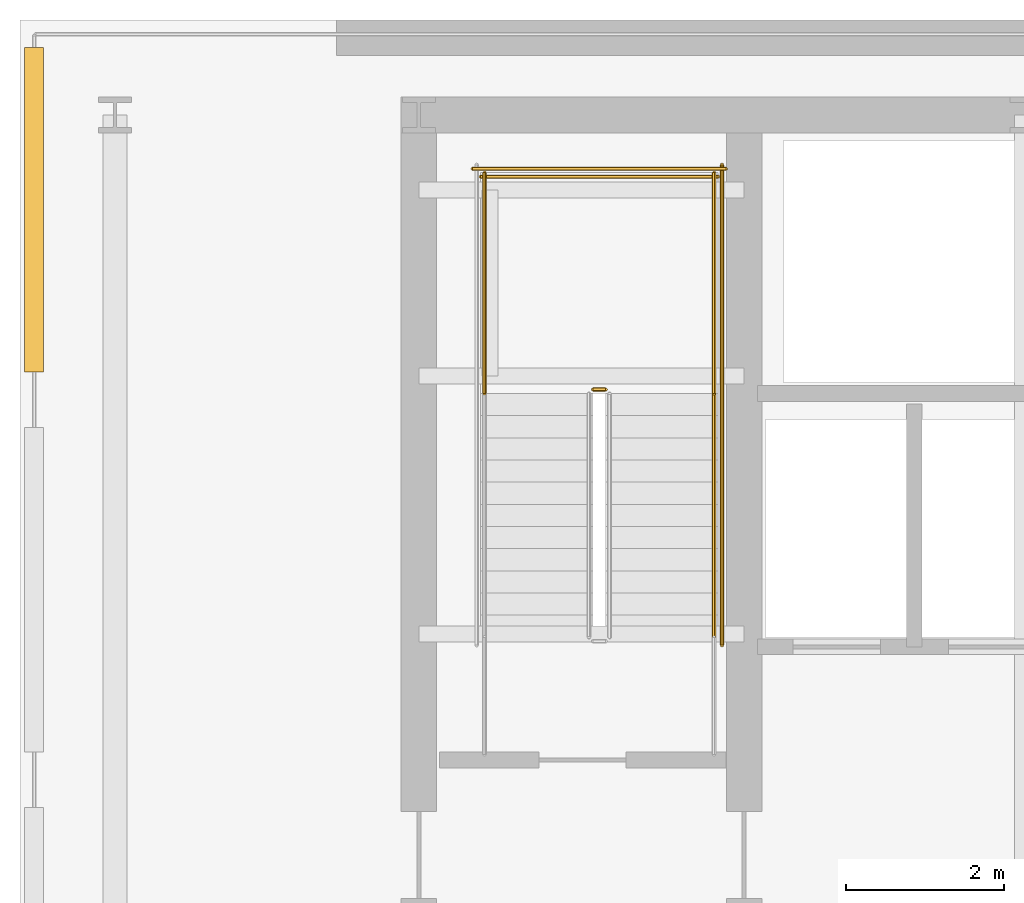
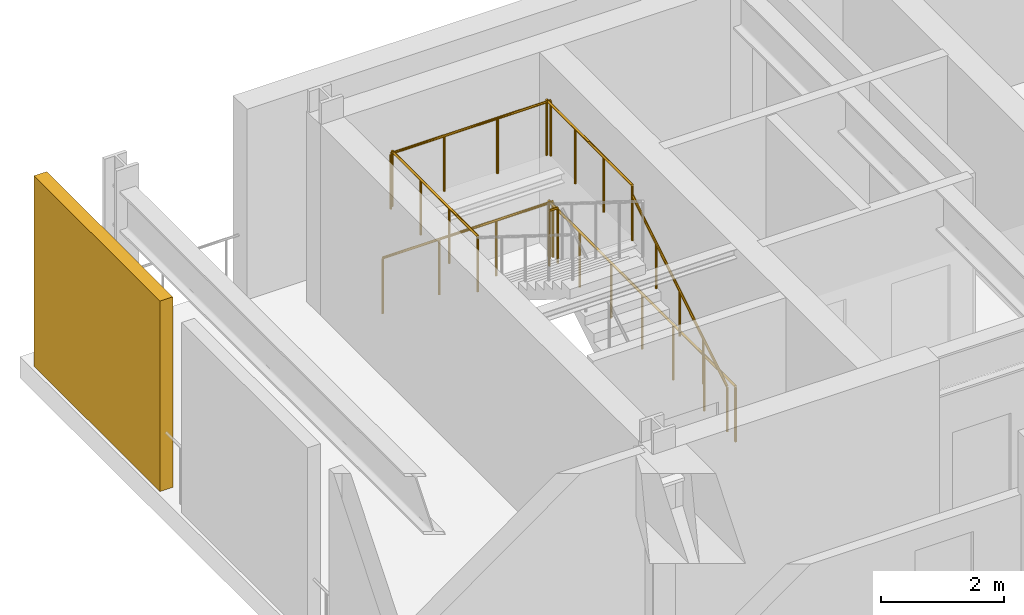
# One storey, part 6 of 8: 7 railings, 1 shading device.
"""IFC4 building model written with IfcOpenShell, lengths in metres."""

import ifcopenshell
import ifcopenshell.guid

model = None  # the IFC model being written
_history = None  # IfcOwnerHistory: only IFC2X3 demands one
_inside = {}  # id of a spatial element -> (the spatial element, [elements in it])
_under = {}  # id of a project, library or spatial element -> (it, [spatial elements below it])
_declared = {}  # id of a project -> (the project, [libraries it declares])
_typed = {}  # id of a type object -> (the type object, [elements of that type])
_made_of = {}  # id of a material, layer set ... -> (it, [elements and type objects made of it])


def new_model(schema):
    """Start an empty IFC model of exactly this schema.

    Asked for "IFC4X3", IfcOpenShell would pick the latest addendum, in which some entities
    have other attributes; the version numbers below select the first issue.
    IFC2X3 requires an IfcOwnerHistory on every rooted entity: one is made here for all.
    """
    global model, _history
    if schema == "IFC4X3":
        model = ifcopenshell.file(schema_version=(4, 3, 0, 0))
    else:
        model = ifcopenshell.file(schema=schema)
    _inside.clear()
    _under.clear()
    _declared.clear()
    _typed.clear()
    _made_of.clear()
    _history = None
    if model.schema == "IFC2X3":
        org = make("IfcOrganization", Name="unknown")
        user = make(
            "IfcPersonAndOrganization",
            ThePerson=make("IfcPerson", FamilyName="unknown"),
            TheOrganization=org,
        )
        app = make(
            "IfcApplication",
            ApplicationDeveloper=org,
            Version="unknown",
            ApplicationFullName="unknown",
            ApplicationIdentifier="unknown",
        )
        _history = make(
            "IfcOwnerHistory",
            OwningUser=user,
            OwningApplication=app,
            ChangeAction="ADDED",
            CreationDate=0,
        )
    return model


def make(cls, **values):
    """One entity of the class cls with the attributes given. An attribute that is None is left unset."""
    return model.create_entity(
        cls, **{name: value for name, value in values.items() if value is not None}
    )


def rooted(cls, **values):
    """An entity with a GlobalId (a new one), such as an element, a storey or a relation."""
    return make(cls, GlobalId=ifcopenshell.guid.new(), OwnerHistory=_history, **values)


def si_unit(unit_type, name, prefix=None):
    """IfcSIUnit, for example si_unit("LENGTHUNIT", "METRE", prefix="MILLI")."""
    return make("IfcSIUnit", UnitType=unit_type, Prefix=prefix, Name=name)


def assignment(units):
    """IfcUnitAssignment: the units of a project."""
    return None if units is None else make("IfcUnitAssignment", Units=units)


def point(xyz):
    """IfcCartesianPoint."""
    return None if xyz is None else make("IfcCartesianPoint", Coordinates=xyz)


def direction(xyz):
    """IfcDirection."""
    return None if xyz is None else make("IfcDirection", DirectionRatios=xyz)


def frame(location, z_axis=None, x_axis=None):
    """IfcAxis2Placement3D, a coordinate frame: its origin and axes. An axis left out is left unset."""
    return make(
        "IfcAxis2Placement3D",
        Location=point(location),
        Axis=direction(z_axis),
        RefDirection=direction(x_axis),
    )


def frame_2d(location, x_axis=None):
    """IfcAxis2Placement2D, a coordinate frame in the plane: its origin and x axis."""
    return make(
        "IfcAxis2Placement2D", Location=point(location), RefDirection=direction(x_axis)
    )


def origin():
    """The frame at (0, 0, 0) with its axes left unset."""
    return frame((0.0, 0.0, 0.0))


def origin_2d():
    """The frame at (0, 0) in the plane with its x axis left unset."""
    return frame_2d((0.0, 0.0))


def place(relative_to, where):
    """IfcLocalPlacement: puts the frame where relative to a parent placement (None: the world)."""
    return make(
        "IfcLocalPlacement", PlacementRelTo=relative_to, RelativePlacement=where
    )


def context(
    kind, dimensions, precision=None, world=None, true_north=None, identifier=None
):
    """IfcGeometricRepresentationContext, for example the 3D "Model" context."""
    return make(
        "IfcGeometricRepresentationContext",
        ContextIdentifier=identifier,
        ContextType=kind,
        CoordinateSpaceDimension=dimensions,
        Precision=precision,
        WorldCoordinateSystem=world,
        TrueNorth=true_north,
    )


def subcontext(parent, identifier, kind, view, scale=None):
    """IfcGeometricRepresentationSubContext, for example "Body" below "Model"."""
    return make(
        "IfcGeometricRepresentationSubContext",
        ContextIdentifier=identifier,
        ContextType=kind,
        ParentContext=parent,
        TargetScale=scale,
        TargetView=view,
    )


def project(units=None, contexts=None):
    """IfcProject with its units and contexts."""
    return rooted(
        "IfcProject",
        Name="project",
        RepresentationContexts=contexts,
        UnitsInContext=assignment(units),
    )


def spatial(cls, under=None, at=None, **own):
    """A site, building, storey or space (cls), placed at a placement, below another one or the project."""
    s = rooted(cls, ObjectPlacement=at, **own)
    if under is not None:
        _under.setdefault(under.id(), (under, []))[1].append(s)
    return s


def profile(cls, at=None, kind="AREA", **sizes):
    """A parametric profile (cls). Its sizes go by their IFC names, for example OverallWidth=200.0."""
    return make(cls, ProfileType=kind, Position=at, **sizes)


def rectangle(**sizes):
    """IfcRectangleProfileDef."""
    return profile("IfcRectangleProfileDef", **sizes)


def circle(**sizes):
    """IfcCircleProfileDef."""
    return profile("IfcCircleProfileDef", **sizes)


def extrude(swept, where, along, depth):
    """IfcExtrudedAreaSolid: the profile swept, set in the frame where, extruded along a direction by depth."""
    return make(
        "IfcExtrudedAreaSolid",
        SweptArea=swept,
        Position=where,
        ExtrudedDirection=direction(along),
        Depth=depth,
    )


def shape(context_of_items, identifier, shape_type, items):
    """IfcShapeRepresentation: the items that make up one representation, for example the "Body"."""
    return make(
        "IfcShapeRepresentation",
        ContextOfItems=context_of_items,
        RepresentationIdentifier=identifier,
        RepresentationType=shape_type,
        Items=items,
    )


def material(Name=None, Category=None):
    """IfcMaterial."""
    return make("IfcMaterial", Name=Name, Category=Category)


def layer(
    of_material, thickness, ventilated=None, Name=None, Category=None, Priority=None
):
    """IfcMaterialLayer: one layer of a wall or slab, of a material (None: an air gap)."""
    return make(
        "IfcMaterialLayer",
        Material=of_material,
        LayerThickness=thickness,
        IsVentilated=ventilated,
        Name=Name,
        Category=Category,
        Priority=Priority,
    )


def layer_set(layers, Name=None):
    """IfcMaterialLayerSet."""
    return make("IfcMaterialLayerSet", MaterialLayers=layers, LayerSetName=Name)


def made_of(thing, what):
    """Note that an element or type object is made of a material, layer set ...; save() writes the relation."""
    if what is not None:
        _made_of.setdefault(what.id(), (what, []))[1].append(thing)
    return thing


def type_object(cls, material=None, **own):
    """A type object (cls), such as IfcWallType, which elements share."""
    return made_of(rooted(cls, **own), material)


def element(
    cls,
    number,
    at=None,
    inside=None,
    cuts=None,
    type_object=None,
    material=None,
    context=None,
    identifier="Body",
    shape_type=None,
    held_by="IfcProductDefinitionShape",
    body=None,
    shapes=None,
    **own,
):
    """One element of the class cls, such as IfcWall. Its Tag is "e" and its number.

    at: its placement. inside: the storey or other place that contains it. cuts: it is an
    opening in that element (IfcRelVoidsElement). A single representation is given by context,
    identifier, shape_type and body (its items); several are given by shapes. held_by: the class
    of the entity that holds the representations. save() writes the other relations.
    """
    e = rooted(cls, Tag="e%d" % number, ObjectPlacement=at, **own)
    if body is not None:
        shapes = [shape(context, identifier, shape_type, body)]
    if shapes is not None:
        e.Representation = make(held_by, Representations=shapes)
    if inside is not None:
        _inside.setdefault(inside.id(), (inside, []))[1].append(e)
    if cuts is not None:
        rooted(
            "IfcRelVoidsElement", RelatingBuildingElement=cuts, RelatedOpeningElement=e
        )
    if type_object is not None:
        _typed.setdefault(type_object.id(), (type_object, []))[1].append(e)
    return made_of(e, material)


def aggregate(whole, parts):
    """IfcRelAggregates: a whole, such as a stair, and the parts it consists of."""
    return rooted("IfcRelAggregates", RelatingObject=whole, RelatedObjects=parts)


def save(model, path):
    """Write the relations noted so far, then the file.

    IfcRelAggregates (storeys below a building ...), IfcRelContainedInSpatialStructure (elements
    in a storey), IfcRelDefinesByType, IfcRelAssociatesMaterial and IfcRelDeclares: one each for
    every whole, place, type object, material and project.
    """
    for whole, parts in _under.values():
        aggregate(whole, parts)
    for where, things in _inside.values():
        rooted(
            "IfcRelContainedInSpatialStructure",
            RelatedElements=things,
            RelatingStructure=where,
        )
    for kind, things in _typed.values():
        rooted("IfcRelDefinesByType", RelatedObjects=things, RelatingType=kind)
    for what, things in _made_of.values():
        rooted("IfcRelAssociatesMaterial", RelatedObjects=things, RelatingMaterial=what)
    for by, libraries in _declared.values():
        rooted("IfcRelDeclares", RelatingContext=by, RelatedDefinitions=libraries)
    model.write(path)


model = new_model("IFC4")

# Units and contexts
model_context = context("Model", 3, precision=1e-05, world=origin(), true_north=direction((0.0, 1.0)))
body_context = subcontext(model_context, "Body", "Model", "MODEL_VIEW")
ifc_project = project(units=[si_unit("LENGTHUNIT", "METRE"), si_unit("AREAUNIT", "SQUARE_METRE"), si_unit("VOLUMEUNIT", "CUBIC_METRE"), si_unit("PLANEANGLEUNIT", "RADIAN"), si_unit("MASSUNIT", "GRAM", prefix="KILO")], contexts=[model_context])

# Site, building, storey
site_placement = place(None, origin())
site = spatial("IfcSite", under=ifc_project, at=site_placement, CompositionType="ELEMENT")
building_placement = place(site_placement, origin())
building = spatial("IfcBuilding", under=site, at=building_placement, Name="Yelkora Congress Tower", CompositionType="ELEMENT")
storey_placement = place(building_placement, frame((0.0, 0.0, 200.300048828125)))
storey = spatial("IfcBuildingStorey", under=building, at=storey_placement, Name="L55", CompositionType="ELEMENT", Elevation=200.300048828125)

# Railings
ifc_material_1 = material(Name="Painted galvanised steel stair well guard with vertical infill", Category="steel")
ifc_layer_1 = layer(ifc_material_1, 0.06005859375)
ifc_layer_set_1 = layer_set([ifc_layer_1], Name="Painted galvanised steel stair well guard with vertical infill")
railing_type_1 = type_object("IfcRailingType", Name="RAIL-STAIR-GUARD-1120", PredefinedType="GUARDRAIL", material=ifc_layer_set_1)
railing_1_placement = place(storey_placement, frame((25.39990234375, 42.72998046875, 2.099853515625)))
element("IfcRailing", 1, at=railing_1_placement, inside=storey, type_object=railing_type_1, Name="ST-01 L55 Stair Well Guardrail 2", PredefinedType="GUARDRAIL", context=body_context, shape_type="SweptSolid", body=[
    extrude(circle(Radius=0.02392578125, at=origin_2d()), frame((0.0, 0.0, 1.09619140625), z_axis=(-1.0, 0.0, 0.0), x_axis=(0.0, -1.0, 0.0)), (0.0, 0.0, 1.0), 0.159912109375),
    extrude(circle(Radius=0.02099609375, at=origin_2d()), origin(), (0.0, 0.0, 1.0), 1.072021484375),
    extrude(circle(Radius=0.02099609375, at=origin_2d()), frame((-0.159912109375, 0.0, 0.0)), (0.0, 0.0, 1.0), 1.072021484375),
])
for number, where, name in (
    (2, (26.77001953125, 42.679931640625, 2.099853515625), "ST-01 L55 Stair Well Guardrail 3"),
    (3, (23.8701171875, 42.679931640625, 2.099853515625), "ST-01 L55 Stair Well Guardrail 4"),
):
    element("IfcRailing", number, at=place(storey_placement, frame(where)), inside=storey, type_object=railing_type_1, Name=name, PredefinedType="GUARDRAIL", context=body_context, shape_type="SweptSolid", body=[
        extrude(circle(Radius=0.02392578125, at=origin_2d()), frame((0.0, 0.0, 1.09619140625), z_axis=(0.0, 1.0, 0.0), x_axis=(-1.0, 0.0, 0.0)), (0.0, 0.0, 1.0), 2.7900390625),
        extrude(circle(Radius=0.02099609375, at=origin_2d()), origin(), (0.0, 0.0, 1.0), 1.072021484375),
        extrude(circle(Radius=0.02099609375, at=origin_2d()), frame((0.0, 0.929931640625, 0.0)), (0.0, 0.0, 1.0), 1.072021484375),
        extrude(circle(Radius=0.02099609375, at=origin_2d()), frame((0.0, 1.860107421875, 0.0)), (0.0, 0.0, 1.0), 1.072021484375),
        extrude(circle(Radius=0.02099609375, at=origin_2d()), frame((0.0, 2.7900390625, 0.0)), (0.0, 0.0, 1.0), 1.072021484375),
    ])
railing_2_placement = place(storey_placement, frame((26.820068359375, 45.419921875, 2.099853515625)))
element("IfcRailing", 4, at=railing_2_placement, inside=storey, type_object=railing_type_1, Name="ST-01 L55 Stair Well Guardrail 5", PredefinedType="GUARDRAIL", context=body_context, shape_type="SweptSolid", body=[
    extrude(circle(Radius=0.02392578125, at=origin_2d()), frame((0.0, 0.0, 1.09619140625), z_axis=(-1.0, 0.0, 0.0), x_axis=(0.0, -1.0, 0.0)), (0.0, 0.0, 1.0), 3.0),
    extrude(circle(Radius=0.02099609375, at=origin_2d()), origin(), (0.0, 0.0, 1.0), 1.072021484375),
    extrude(circle(Radius=0.02099609375, at=origin_2d()), frame((-1.0, 0.0, 0.0)), (0.0, 0.0, 1.0), 1.072021484375),
    extrude(circle(Radius=0.02099609375, at=origin_2d()), frame((-2.0, 0.0, 0.0)), (0.0, 0.0, 1.0), 1.072021484375),
    extrude(circle(Radius=0.02099609375, at=origin_2d()), frame((-3.0, 0.0, 0.0)), (0.0, 0.0, 1.0), 1.072021484375),
])
railing_3_placement = place(storey_placement, frame((26.8701171875, 39.5, 0.0)))
element("IfcRailing", 5, at=railing_3_placement, inside=storey, type_object=railing_type_1, Name="ST-01 L55 Stair Well Guardrail 10", PredefinedType="GUARDRAIL", context=body_context, shape_type="SweptSolid", body=[
    extrude(circle(Radius=0.02392578125, at=origin_2d()), frame((0.0, 0.0, 1.09619140625), z_axis=(0.0, 1.0, 0.0), x_axis=(-1.0, 0.0, 0.0)), (0.0, 0.0, 1.0), 6.070068359375),
    extrude(circle(Radius=0.02099609375, at=origin_2d()), origin(), (0.0, 0.0, 1.0), 1.072021484375),
    extrude(circle(Radius=0.02099609375, at=origin_2d()), frame((0.0, 1.01171875, 0.0)), (0.0, 0.0, 1.0), 1.072021484375),
    extrude(circle(Radius=0.02099609375, at=origin_2d()), frame((0.0, 2.0234375, 0.0)), (0.0, 0.0, 1.0), 1.072021484375),
    extrude(circle(Radius=0.02099609375, at=origin_2d()), frame((0.0, 3.03515625, 0.0)), (0.0, 0.0, 1.0), 1.072021484375),
    extrude(circle(Radius=0.02099609375, at=origin_2d()), frame((0.0, 4.046630859375, 0.0)), (0.0, 0.0, 1.0), 1.072021484375),
    extrude(circle(Radius=0.02099609375, at=origin_2d()), frame((0.0, 5.058349609375, 0.0)), (0.0, 0.0, 1.0), 1.072021484375),
    extrude(circle(Radius=0.02099609375, at=origin_2d()), frame((0.0, 6.070068359375, 0.0)), (0.0, 0.0, 1.0), 1.072021484375),
])
railing_4_placement = place(storey_placement, frame((26.919921875, 45.52001953125, 0.0)))
element("IfcRailing", 6, at=railing_4_placement, inside=storey, type_object=railing_type_1, Name="ST-01 L55 Stair Well Guardrail 12", PredefinedType="GUARDRAIL", context=body_context, shape_type="SweptSolid", body=[
    extrude(circle(Radius=0.02392578125, at=origin_2d()), frame((0.0, 0.0, 1.09619140625), z_axis=(-1.0, 0.0, 0.0), x_axis=(0.0, -1.0, 0.0)), (0.0, 0.0, 1.0), 3.199951171875),
    extrude(circle(Radius=0.02099609375, at=origin_2d()), origin(), (0.0, 0.0, 1.0), 1.072021484375),
    extrude(circle(Radius=0.02099609375, at=origin_2d()), frame((-1.066650390625, 0.0, 0.0)), (0.0, 0.0, 1.0), 1.072021484375),
    extrude(circle(Radius=0.02099609375, at=origin_2d()), frame((-2.13330078125, 0.0, 0.0)), (0.0, 0.0, 1.0), 1.072021484375),
    extrude(circle(Radius=0.02099609375, at=origin_2d()), frame((-3.199951171875, 0.0, 0.0)), (0.0, 0.0, 1.0), 1.072021484375),
])
ifc_material_2 = material(Name="Brushed stainless steel tubular handrail", Category="steel")
ifc_layer_2 = layer(ifc_material_2, 0.050048828125)
ifc_layer_set_2 = layer_set([ifc_layer_2], Name="Brushed stainless steel tubular handrail")
railing_type_2 = type_object("IfcRailingType", Name="RAIL-STAIR-HAND-920", PredefinedType="HANDRAIL", material=ifc_layer_set_2)
railing_5_placement = place(storey_placement, frame((26.77001953125, 39.60009765625, 0.175048828125)))
element("IfcRailing", 7, at=railing_5_placement, inside=storey, type_object=railing_type_2, Name="ST-01 L55 Pitch Handrail 1", PredefinedType="HANDRAIL", context=body_context, shape_type="SweptSolid", body=[
    extrude(circle(Radius=0.02392578125, at=origin_2d()), frame((0.0, 0.0, 0.89599609375), z_axis=(0.0, 0.848009633417, 0.529980812513), x_axis=(-1.0, 0.0, 0.0)), (0.0, 0.0, 1.0), 3.6318359375),
    extrude(circle(Radius=0.02099609375, at=origin_2d()), origin(), (0.0, 0.0, 1.0), 0.871826171875),
    extrude(circle(Radius=0.02099609375, at=origin_2d()), frame((0.0, 0.77001953125, 0.481201171875)), (0.0, 0.0, 1.0), 0.871826171875),
    extrude(circle(Radius=0.02099609375, at=origin_2d()), frame((0.0, 1.5400390625, 0.96240234375)), (0.0, 0.0, 1.0), 0.871826171875),
    extrude(circle(Radius=0.02099609375, at=origin_2d()), frame((0.0, 2.309814453125, 1.443603515625)), (0.0, 0.0, 1.0), 0.871826171875),
    extrude(circle(Radius=0.02099609375, at=origin_2d()), frame((0.0, 3.079833984375, 1.9248046875)), (0.0, 0.0, 1.0), 0.871826171875),
])

# Shading device
ifc_material_3 = material(Name="Perforated anodised aluminium louvre", Category="aluminium")
ifc_layer_3 = layer(ifc_material_3, 3.39990234375)
ifc_layer_set_3 = layer_set([ifc_layer_3], Name="Perforated anodised aluminium louvre")
shading_device_type = type_object("IfcShadingDeviceType", Name="SHD-LOUVRE-WIND", PredefinedType="JALOUSIE", material=ifc_layer_set_3)
shading_device_placement = place(storey_placement, frame((18.179931640625, 45.0, 0.0), z_axis=(0.0, 0.0, 1.0), x_axis=(1.0, 0.0, 0.0)))
element("IfcShadingDevice", 8, at=shading_device_placement, inside=storey, type_object=shading_device_type, Name="L55 Acoustic Wind-Floor Louvre Screen W5", PredefinedType="JALOUSIE", context=body_context, shape_type="SweptSolid", body=[
    extrude(rectangle(XDim=0.239990234375, YDim=4.10009765625, at=origin_2d()), origin(), (0.0, 0.0, 1.0), 3.780029296875),
])

save(model, "model.ifc")
